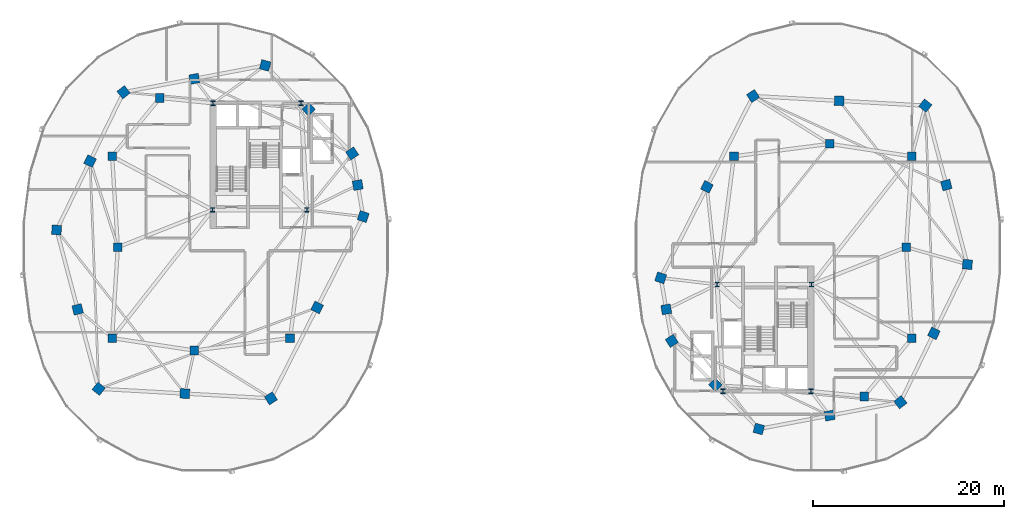
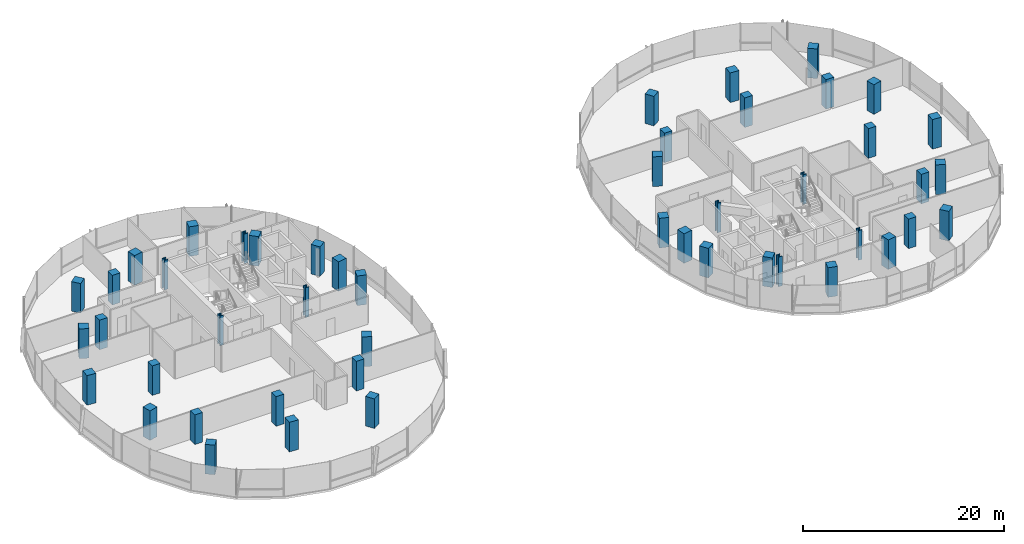
# One storey, part 1 of 22: 48 columns.
"""IFC4 building model written with IfcOpenShell, lengths in metres."""

from ifc_helpers import new_model, si_unit, direction, frame, origin, origin_2d, place, context, subcontext, project, spatial, rectangle, i_section, extrude, material, material_profile, profile_set, type_object, element, save


model = new_model("IFC4")

# Units and contexts
model_context = context("Model", 3, precision=1e-05, world=origin(), true_north=direction((0.0, 1.0)))
body_context = subcontext(model_context, "Body", "Model", "MODEL_VIEW")
ifc_project = project(units=[si_unit("LENGTHUNIT", "METRE"), si_unit("AREAUNIT", "SQUARE_METRE"), si_unit("VOLUMEUNIT", "CUBIC_METRE"), si_unit("PLANEANGLEUNIT", "RADIAN"), si_unit("MASSUNIT", "GRAM", prefix="KILO"), si_unit("THERMODYNAMICTEMPERATUREUNIT", "KELVIN"), si_unit("POWERUNIT", "WATT")], contexts=[model_context])

# Site, building, storey
site_placement = place(None, origin())
site = spatial("IfcSite", under=ifc_project, at=site_placement, CompositionType="ELEMENT")
building_placement = place(site_placement, origin())
building = spatial("IfcBuilding", under=site, at=building_placement, Name="Cundina Bronze Exchange", CompositionType="ELEMENT")
storey_placement = place(building_placement, frame((0.0, 0.0, 162.0)))
storey = spatial("IfcBuildingStorey", under=building, at=storey_placement, Name="L42", CompositionType="ELEMENT", Elevation=162.0)

# Columns
ifc_material_1 = material(Name="Steel ASTM A992 Grade 50", Category="steel")
ifc_material_profile_1 = material_profile(ifc_material_1, i_section(OverallWidth=0.431884765625, OverallDepth=0.498046875, WebThickness=0.0556640625, FlangeThickness=0.0888671875, FilletRadius=0.01806640625, at=origin_2d()), Name="W14X500", Category="steel")
ifc_profile_set_1 = profile_set([ifc_material_profile_1], Name="Steel ASTM A992 Grade 50")
column_type_1 = type_object("IfcColumnType", Name="COL-STL-W14A", PredefinedType="COLUMN", material=ifc_profile_set_1)
for number, where, z_axis, x_axis, name in (
    (1, (-31.300048828125, 3.89990234375, 0.0), (0.0, 0.0, 1.0), (1.0, 0.0, 0.0), "L42 Core Anchor Column W1"),
    (2, (-21.449951171875, 3.89990234375, 0.0), (0.0, 0.0, 1.0), (1.0, 0.0, 0.0), "L42 Core Anchor Column W2"),
    (3, (-22.050048828125, 15.050048828125, 0.0), (0.0, 0.0, 1.0), (1.0, 0.0, 0.0), "L42 Core Anchor Column W3"),
    (4, (-31.25, 15.050048828125, 0.0), (0.0, 0.0, 1.0), (1.0, 0.0, 0.0), "L42 Core Anchor Column W4"),
    (5, (31.300048828125, -3.89990234375, 0.0), (0.0, 0.0, 1.0), (1.0, 0.0, 0.0), "L42 Core Anchor Column E1"),
    (6, (21.449951171875, -3.89990234375, 0.0), (0.0, 0.0, 1.0), (1.0, 0.0, 0.0), "L42 Core Anchor Column E2"),
    (7, (22.050048828125, -15.050048828125, 0.0), (0.0, 0.0, 1.0), (1.0, 0.0, 0.0), "L42 Core Anchor Column E3"),
    (8, (31.25, -15.050048828125, 0.0), (0.0, 0.0, 1.0), (1.0, 0.0, 0.0), "L42 Core Anchor Column E4"),
):
    element("IfcColumn", number, at=place(storey_placement, frame(where, z_axis=z_axis, x_axis=x_axis)), inside=storey, type_object=column_type_1, Name=name, PredefinedType="COLUMN", context=body_context, shape_type="SweptSolid", body=[
        extrude(i_section(OverallWidth=0.431884765625, OverallDepth=0.498046875, WebThickness=0.0556640625, FlangeThickness=0.0888671875, FilletRadius=0.01806640625, at=origin_2d()), origin(), (0.0, 0.0, 1.0), 3.60009765625),
    ])
ifc_material_2 = material(Name="Concrete C50/60", Category="concrete")
ifc_material_profile_2 = material_profile(ifc_material_2, rectangle(XDim=1.0, YDim=1.0, at=origin_2d()), Name="RC1000X1000", Category="concrete")
ifc_profile_set_2 = profile_set([ifc_material_profile_2], Name="Concrete C50/60")
column_type_2 = type_object("IfcColumnType", Name="COL-Z3-1000", PredefinedType="COLUMN", material=ifc_profile_set_2)
for number, where, z_axis, x_axis, name in (
    (9, (-15.550048828125, 3.199951171875, 0.0), (0.0, 0.0, 1.0), (0.315152163383, 0.949041155016, 0.0), "L42 W Perimeter Column 00"),
    (10, (-16.125, 6.5, 0.0), (0.0, 0.0, 1.0), (-0.171585221787, 0.985169280715, 0.0), "L42 W Perimeter Column 01"),
    (11, (-16.699951171875, 9.800048828125, 0.0), (0.0, 0.0, 1.0), (-0.544199833495, 0.838955625301, 0.0), "L42 W Perimeter Column 02"),
    (12, (-21.25, 14.39990234375, 0.0), (0.0, 0.0, 1.0), (-0.703270634186, 0.710922228581, 0.0), "L42 W Perimeter Column 03"),
    (13, (-25.800048828125, 19.0, 0.0), (0.0, 0.0, 1.0), (-0.965970984022, 0.258650455301, 0.0), "L42 W Perimeter Column 04"),
    (14, (-33.199951171875, 17.60009765625, 0.0), (0.0, 0.0, 1.0), (-0.98258037664, -0.185838110843, 0.0), "L42 W Perimeter Column 05"),
    (15, (-40.60009765625, 16.199951171875, 0.0), (0.0, 0.0, 1.0), (-0.785100778485, -0.619368038909, 0.0), "L42 W Perimeter Column 06"),
    (16, (-44.10009765625, 9.0, 0.0), (0.0, 0.0, 1.0), (-0.437115766651, -0.899405251566, 0.0), "L42 W Perimeter Column 07"),
    (17, (-47.60009765625, 1.800048828125, 0.0), (0.0, 0.0, 1.0), (-0.083503921245, -0.996507448611, 0.0), "L42 W Perimeter Column 08"),
    (18, (-45.39990234375, -6.5, 0.0), (0.0, 0.0, 1.0), (0.256289373133, -0.966600102017, 0.0), "L42 W Perimeter Column 09"),
    (19, (-43.199951171875, -14.800048828125, 0.0), (0.0, 0.0, 1.0), (0.786288432137, -0.61785961309, 0.0), "L42 W Perimeter Column 10"),
    (20, (-34.199951171875, -15.300048828125, 0.0), (0.0, 0.0, 1.0), (0.998460188734, -0.055472980025, 0.0), "L42 W Perimeter Column 11"),
    (21, (-25.199951171875, -15.800048828125, 0.0), (0.0, 0.0, 1.0), (0.838099763533, 0.545516989988, 0.0), "L42 W Perimeter Column 12"),
    (22, (-20.375, -6.300048828125, 0.0), (0.0, 0.0, 1.0), (0.452901591366, 0.891560513111, 0.0), "L42 W Perimeter Column 13"),
    (23, (15.550048828125, -3.199951171875, 0.0), (0.0, 0.0, 1.0), (-0.315152163383, -0.949041155016, 0.0), "L42 E Perimeter Column 00"),
    (24, (16.125, -6.5, 0.0), (0.0, 0.0, 1.0), (0.171585221787, -0.985169280715, 0.0), "L42 E Perimeter Column 01"),
    (25, (16.699951171875, -9.800048828125, 0.0), (0.0, 0.0, 1.0), (0.544199833495, -0.838955625301, 0.0), "L42 E Perimeter Column 02"),
    (26, (21.25, -14.39990234375, 0.0), (0.0, 0.0, 1.0), (0.703270634186, -0.710922228581, 0.0), "L42 E Perimeter Column 03"),
    (27, (25.800048828125, -19.0, 0.0), (0.0, 0.0, 1.0), (0.965970984022, -0.258650455301, 0.0), "L42 E Perimeter Column 04"),
    (28, (33.199951171875, -17.60009765625, 0.0), (0.0, 0.0, 1.0), (0.98258037664, 0.185838110843, 0.0), "L42 E Perimeter Column 05"),
    (29, (40.60009765625, -16.199951171875, 0.0), (0.0, 0.0, 1.0), (0.785100778485, 0.619368038909, 0.0), "L42 E Perimeter Column 06"),
    (30, (44.10009765625, -9.0, 0.0), (0.0, 0.0, 1.0), (0.437115766651, 0.899405251566, 0.0), "L42 E Perimeter Column 07"),
    (31, (47.60009765625, -1.800048828125, 0.0), (0.0, 0.0, 1.0), (0.083503921245, 0.996507448611, 0.0), "L42 E Perimeter Column 08"),
    (32, (45.39990234375, 6.5, 0.0), (0.0, 0.0, 1.0), (-0.256289373133, 0.966600102017, 0.0), "L42 E Perimeter Column 09"),
    (33, (43.199951171875, 14.800048828125, 0.0), (0.0, 0.0, 1.0), (-0.786288432137, 0.61785961309, 0.0), "L42 E Perimeter Column 10"),
    (34, (34.199951171875, 15.300048828125, 0.0), (0.0, 0.0, 1.0), (-0.998460188734, 0.055472980025, 0.0), "L42 E Perimeter Column 11"),
    (35, (25.199951171875, 15.800048828125, 0.0), (0.0, 0.0, 1.0), (-0.838099763533, -0.545516989988, 0.0), "L42 E Perimeter Column 12"),
    (36, (20.375, 6.300048828125, 0.0), (0.0, 0.0, 1.0), (-0.452901591366, -0.891560513111, 0.0), "L42 E Perimeter Column 13"),
):
    element("IfcColumn", number, at=place(storey_placement, frame(where, z_axis=z_axis, x_axis=x_axis)), inside=storey, type_object=column_type_2, Name=name, PredefinedType="COLUMN", context=body_context, shape_type="SweptSolid", body=[
        extrude(rectangle(XDim=1.0, YDim=1.0, at=origin_2d()), origin(), (0.0, 0.0, 1.0), 3.60009765625),
    ])
ifc_material_profile_3 = material_profile(ifc_material_2, rectangle(XDim=0.89990234375, YDim=0.89990234375, at=origin_2d()), Name="RC900X900", Category="concrete")
ifc_profile_set_3 = profile_set([ifc_material_profile_3], Name="Concrete C50/60")
column_type_3 = type_object("IfcColumnType", Name="COL-Z4-900", PredefinedType="COLUMN", material=ifc_profile_set_3)
for number, where, z_axis, x_axis, name in (
    (37, (-41.199951171875, 0.0, 0.0), (0.0, 0.0, 1.0), (1.0, 0.0, 0.0), "L42 W Inner Ring Column 1"),
    (38, (-41.800048828125, 9.5, 0.0), (0.0, 0.0, 1.0), (1.0, 0.0, 0.0), "L42 W Inner Ring Column 2"),
    (39, (-36.800048828125, 15.60009765625, 0.0), (0.0, 0.0, 1.0), (1.0, 0.0, 0.0), "L42 W Inner Ring Column 3"),
    (40, (-41.800048828125, -9.5, 0.0), (0.0, 0.0, 1.0), (1.0, 0.0, 0.0), "L42 W Inner Ring Column 4"),
    (41, (-33.199951171875, -10.800048828125, 0.0), (0.0, 0.0, 1.0), (1.0, 0.0, 0.0), "L42 W Inner Ring Column 5"),
    (42, (-23.199951171875, -9.5, 0.0), (0.0, 0.0, 1.0), (1.0, 0.0, 0.0), "L42 W Inner Ring Column 6"),
    (43, (41.199951171875, 0.0, 0.0), (0.0, 0.0, 1.0), (1.0, 0.0, 0.0), "L42 E Inner Ring Column 1"),
    (44, (41.800048828125, -9.5, 0.0), (0.0, 0.0, 1.0), (1.0, 0.0, 0.0), "L42 E Inner Ring Column 2"),
    (45, (36.800048828125, -15.60009765625, 0.0), (0.0, 0.0, 1.0), (1.0, 0.0, 0.0), "L42 E Inner Ring Column 3"),
    (46, (41.800048828125, 9.5, 0.0), (0.0, 0.0, 1.0), (1.0, 0.0, 0.0), "L42 E Inner Ring Column 4"),
    (47, (33.199951171875, 10.800048828125, 0.0), (0.0, 0.0, 1.0), (1.0, 0.0, 0.0), "L42 E Inner Ring Column 5"),
    (48, (23.199951171875, 9.5, 0.0), (0.0, 0.0, 1.0), (1.0, 0.0, 0.0), "L42 E Inner Ring Column 6"),
):
    element("IfcColumn", number, at=place(storey_placement, frame(where, z_axis=z_axis, x_axis=x_axis)), inside=storey, type_object=column_type_3, Name=name, PredefinedType="COLUMN", context=body_context, shape_type="SweptSolid", body=[
        extrude(rectangle(XDim=0.89990234375, YDim=0.89990234375, at=origin_2d()), origin(), (0.0, 0.0, 1.0), 3.60009765625),
    ])

save(model, "model.ifc")
